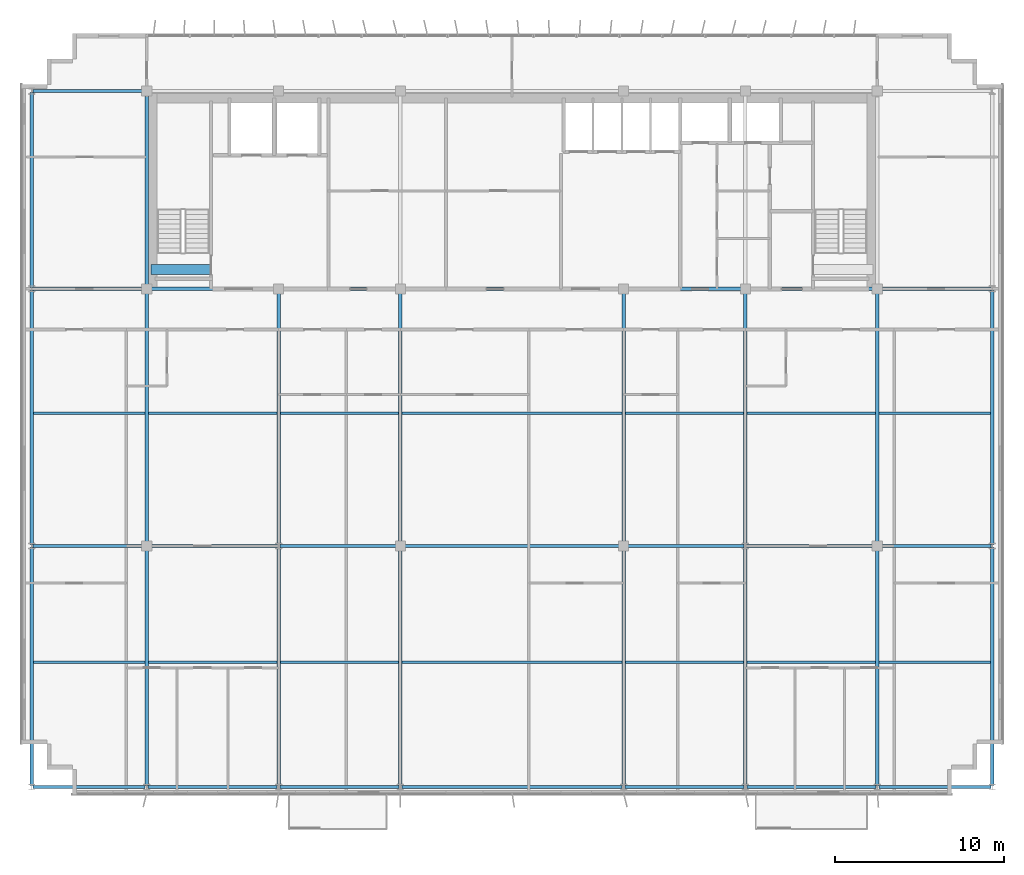
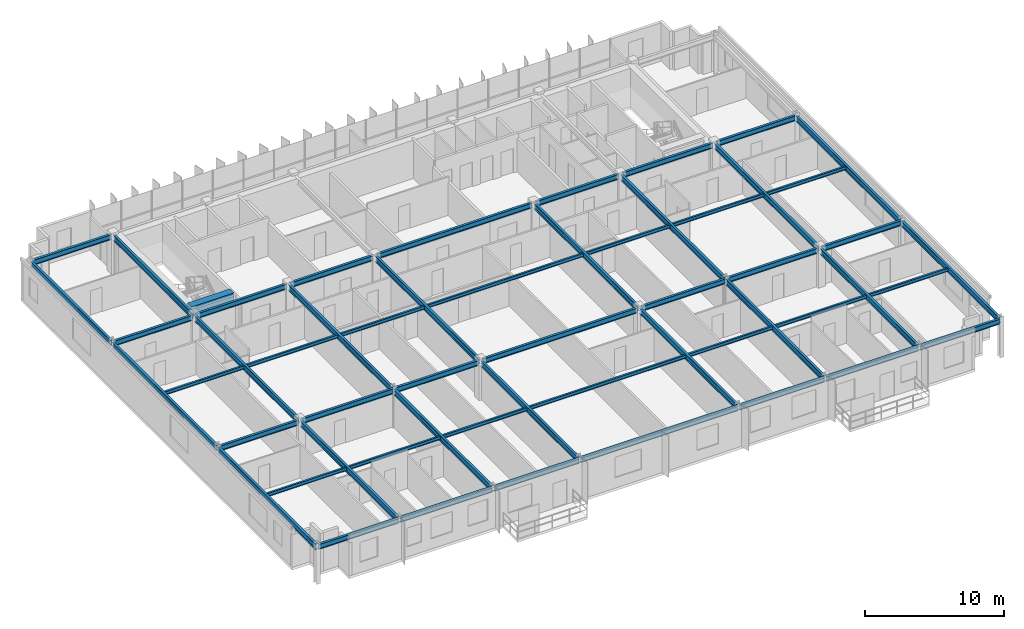
# One storey, part 5 of 22: 55 beams.
"""IFC4 building model written with IfcOpenShell, lengths in metres."""

from ifc_helpers import new_model, si_unit, direction, frame, origin, origin_2d, place, context, subcontext, project, spatial, rectangle, i_section, extrude, source, transform, mapped, material, material_profile, profile_set, type_object, element, save


model = new_model("IFC4")

# Units and contexts
model_context = context("Model", 3, precision=1e-05, world=origin(), true_north=direction((0.0, 1.0)))
body_context = subcontext(model_context, "Body", "Model", "MODEL_VIEW")
ifc_project = project(units=[si_unit("LENGTHUNIT", "METRE"), si_unit("AREAUNIT", "SQUARE_METRE"), si_unit("VOLUMEUNIT", "CUBIC_METRE"), si_unit("PLANEANGLEUNIT", "RADIAN"), si_unit("MASSUNIT", "GRAM", prefix="KILO")], contexts=[model_context])

# Site, building, storey
site_placement = place(None, origin())
site = spatial("IfcSite", under=ifc_project, at=site_placement, CompositionType="ELEMENT")
building_placement = place(site_placement, origin())
building = spatial("IfcBuilding", under=site, at=building_placement, Name="Trelvane Seafront Commons", CompositionType="ELEMENT")
storey_placement = place(building_placement, frame((0.0, 0.0, 284.699951171875)))
storey = spatial("IfcBuildingStorey", under=building, at=storey_placement, Name="L74", CompositionType="ELEMENT", Elevation=284.699951171875)

# Beams
ifc_material_1 = material(Name="Concrete C60/75", Category="concrete")
ifc_material_profile_1 = material_profile(ifc_material_1, rectangle(XDim=0.60009765625, YDim=0.89990234375, at=origin_2d()), Name="RC-600x900")
ifc_profile_set_1 = profile_set([ifc_material_profile_1], Name="Concrete C60/75")
beam_type_1 = type_object("IfcBeamType", Name="STR-LNT-RC600x900", PredefinedType="LINTEL", material=ifc_profile_set_1)
shared_shape_1 = source(origin(), body_context, "Body", "SweptSolid", [
    extrude(rectangle(XDim=0.60009765625, YDim=0.89990234375, at=origin_2d()), origin(), (0.0, 0.0, 1.0), 3.5498046875),
])
beam_1_placement = place(storey_placement, frame((15.85009765625, 34.550048828125, 2.920166015625), z_axis=(1.0, 0.0, 0.0), x_axis=(0.0, 1.0, 0.0)))
element("IfcBeam", 1, at=beam_1_placement, inside=storey, type_object=beam_type_1, Name="L74 Core Coupling Lintel Beam CB-67", PredefinedType="LINTEL", context=body_context, shape_type="MappedRepresentation", body=[
    mapped(shared_shape_1, transform((0.0, 0.0, 0.0), x_axis=(1.0, 0.0, 0.0), y_axis=(0.0, 1.0, 0.0), z_axis=(0.0, 0.0, 1.0), scale=1.0)),
])
ifc_material_2 = material(Name="Steel SM355 (S355)", Category="steel")
ifc_material_profile_2 = material_profile(ifc_material_2, i_section(OverallWidth=0.199951171875, OverallDepth=0.5, WebThickness=0.010009765625, FlangeThickness=0.01611328125, at=origin_2d()), Name="H-500x200x10x16")
ifc_profile_set_2 = profile_set([ifc_material_profile_2], Name="Steel SM355 (S355)")
beam_type_2 = type_object("IfcBeamType", Name="STR-BM-H500", PredefinedType="BEAM", material=ifc_profile_set_2)
shared_shape_2 = source(origin(), body_context, "Body", "SweptSolid", [
    extrude(i_section(OverallWidth=0.199951171875, OverallDepth=0.5, WebThickness=0.010009765625, FlangeThickness=0.01611328125, at=origin_2d()), origin(), (0.0, 0.0, 1.0), 14.89990234375),
])
for number, where, z_axis, x_axis, name in (
    (2, (15.60009765625, 18.35009765625, 3.1201171875), (0.0, 1.0, 0.0), (-1.0, 0.0, 0.0), "L74 Primary Girder G-33"),
    (3, (30.60009765625, 18.35009765625, 3.1201171875), (0.0, 1.0, 0.0), (-1.0, 0.0, 0.0), "L74 Primary Girder G-39"),
    (4, (43.800048828125, 18.35009765625, 3.1201171875), (0.0, 1.0, 0.0), (-1.0, 0.0, 0.0), "L74 Primary Girder G-42"),
    (5, (58.800048828125, 18.35009765625, 3.1201171875), (0.0, 1.0, 0.0), (-1.0, 0.0, 0.0), "L74 Primary Girder G-48"),
):
    element("IfcBeam", number, at=place(storey_placement, frame(where, z_axis=z_axis, x_axis=x_axis)), inside=storey, type_object=beam_type_2, Name=name, PredefinedType="BEAM", context=body_context, shape_type="MappedRepresentation", body=[
        mapped(shared_shape_2, transform((0.0, 0.0, 0.0), x_axis=(1.0, 0.0, 0.0), y_axis=(0.0, 1.0, 0.0), z_axis=(0.0, 0.0, 1.0), scale=1.0)),
    ])
shared_shape_3 = source(origin(), body_context, "Body", "SweptSolid", [
    extrude(i_section(OverallWidth=0.199951171875, OverallDepth=0.5, WebThickness=0.010009765625, FlangeThickness=0.01611328125, at=origin_2d()), origin(), (0.0, 0.0, 1.0), 11.39990234375),
])
beam_2_placement = place(storey_placement, frame((15.60009765625, 33.550048828125, 3.1201171875), z_axis=(0.0, 1.0, 0.0), x_axis=(-1.0, 0.0, 0.0)))
element("IfcBeam", 6, at=beam_2_placement, inside=storey, type_object=beam_type_2, Name="L74 Primary Girder G-34", PredefinedType="BEAM", context=body_context, shape_type="MappedRepresentation", body=[
    mapped(shared_shape_3, transform((0.0, 0.0, 0.0), x_axis=(1.0, 0.0, 0.0), y_axis=(0.0, 1.0, 0.0), z_axis=(0.0, 0.0, 1.0), scale=1.0)),
])
ifc_material_profile_3 = material_profile(ifc_material_2, i_section(OverallWidth=0.199951171875, OverallDepth=0.449951171875, WebThickness=0.009033203125, FlangeThickness=0.013916015625, at=origin_2d()), Name="H-450x200x9x14")
ifc_profile_set_3 = profile_set([ifc_material_profile_3], Name="Steel SM355 (S355)")
beam_type_3 = type_object("IfcBeamType", Name="STR-SPD-H450", PredefinedType="SPANDREL", material=ifc_profile_set_3)
shared_shape_4 = source(origin(), body_context, "Body", "SweptSolid", [
    extrude(i_section(OverallWidth=0.199951171875, OverallDepth=0.449951171875, WebThickness=0.009033203125, FlangeThickness=0.013916015625, at=origin_2d()), origin(), (0.0, 0.0, 1.0), 6.625),
])
for number, where, z_axis, x_axis, name in (
    (7, (8.887451171875, 3.949951171875, 3.14501953125), (1.0, 0.0, 0.0), (0.0, 1.0, 0.0), "L74 Primary Girder G-01"),
    (8, (58.887451171875, 3.949951171875, 3.14501953125), (1.0, 0.0, 0.0), (0.0, 1.0, 0.0), "L74 Primary Girder G-07"),
):
    element("IfcBeam", number, at=place(storey_placement, frame(where, z_axis=z_axis, x_axis=x_axis)), inside=storey, type_object=beam_type_3, Name=name, PredefinedType="SPANDREL", context=body_context, shape_type="MappedRepresentation", body=[
        mapped(shared_shape_4, transform((0.0, 0.0, 0.0), x_axis=(1.0, 0.0, 0.0), y_axis=(0.0, 1.0, 0.0), z_axis=(0.0, 0.0, 1.0), scale=1.0)),
    ])
shared_shape_5 = source(origin(), body_context, "Body", "SweptSolid", [
    extrude(i_section(OverallWidth=0.199951171875, OverallDepth=0.449951171875, WebThickness=0.009033203125, FlangeThickness=0.013916015625, at=origin_2d()), origin(), (0.0, 0.0, 1.0), 7.625),
])
for number, where, z_axis, x_axis, name in (
    (9, (15.6875, 3.949951171875, 3.14501953125), (1.0, 0.0, 0.0), (0.0, 1.0, 0.0), "L74 Primary Girder G-02"),
    (10, (51.08740234375, 3.949951171875, 3.14501953125), (1.0, 0.0, 0.0), (0.0, 1.0, 0.0), "L74 Primary Girder G-06"),
):
    element("IfcBeam", number, at=place(storey_placement, frame(where, z_axis=z_axis, x_axis=x_axis)), inside=storey, type_object=beam_type_3, Name=name, PredefinedType="SPANDREL", context=body_context, shape_type="MappedRepresentation", body=[
        mapped(shared_shape_5, transform((0.0, 0.0, 0.0), x_axis=(1.0, 0.0, 0.0), y_axis=(0.0, 1.0, 0.0), z_axis=(0.0, 0.0, 1.0), scale=1.0)),
    ])
shared_shape_6 = source(origin(), body_context, "Body", "SweptSolid", [
    extrude(i_section(OverallWidth=0.199951171875, OverallDepth=0.449951171875, WebThickness=0.009033203125, FlangeThickness=0.013916015625, at=origin_2d()), origin(), (0.0, 0.0, 1.0), 7.02490234375),
])
beam_3_placement = place(storey_placement, frame((23.487548828125, 3.949951171875, 3.14501953125), z_axis=(1.0, 0.0, 0.0), x_axis=(0.0, 1.0, 0.0)))
element("IfcBeam", 11, at=beam_3_placement, inside=storey, type_object=beam_type_3, Name="L74 Primary Girder G-03", PredefinedType="SPANDREL", context=body_context, shape_type="MappedRepresentation", body=[
    mapped(shared_shape_6, transform((0.0, 0.0, 0.0), x_axis=(1.0, 0.0, 0.0), y_axis=(0.0, 1.0, 0.0), z_axis=(0.0, 0.0, 1.0), scale=1.0)),
])
shared_shape_7 = source(origin(), body_context, "Body", "SweptSolid", [
    extrude(i_section(OverallWidth=0.199951171875, OverallDepth=0.449951171875, WebThickness=0.009033203125, FlangeThickness=0.013916015625, at=origin_2d()), origin(), (0.0, 0.0, 1.0), 7.025146484375),
])
beam_4_placement = place(storey_placement, frame((43.887451171875, 3.949951171875, 3.14501953125), z_axis=(1.0, 0.0, 0.0), x_axis=(0.0, 1.0, 0.0)))
element("IfcBeam", 12, at=beam_4_placement, inside=storey, type_object=beam_type_3, Name="L74 Primary Girder G-05", PredefinedType="SPANDREL", context=body_context, shape_type="MappedRepresentation", body=[
    mapped(shared_shape_7, transform((0.0, 0.0, 0.0), x_axis=(1.0, 0.0, 0.0), y_axis=(0.0, 1.0, 0.0), z_axis=(0.0, 0.0, 1.0), scale=1.0)),
])
shared_shape_8 = source(origin(), body_context, "Body", "SweptSolid", [
    extrude(i_section(OverallWidth=0.199951171875, OverallDepth=0.449951171875, WebThickness=0.009033203125, FlangeThickness=0.013916015625, at=origin_2d()), origin(), (0.0, 0.0, 1.0), 6.5625),
])
for number, where, z_axis, x_axis, name in (
    (13, (8.887451171875, 18.199951171875, 3.14501953125), (1.0, 0.0, 0.0), (0.0, 1.0, 0.0), "L74 Primary Girder G-08"),
    (14, (58.949951171875, 18.199951171875, 3.14501953125), (1.0, 0.0, 0.0), (0.0, 1.0, 0.0), "L74 Primary Girder G-14"),
    (15, (8.887451171875, 33.39990234375, 3.14501953125), (1.0, 0.0, 0.0), (0.0, 1.0, 0.0), "L74 Primary Girder G-15"),
    (16, (58.949951171875, 33.39990234375, 3.14501953125), (1.0, 0.0, 0.0), (0.0, 1.0, 0.0), "L74 Primary Girder G-21"),
    (17, (8.887451171875, 45.10009765625, 3.14501953125), (1.0, 0.0, 0.0), (0.0, 1.0, 0.0), "L74 Primary Girder G-22"),
):
    element("IfcBeam", number, at=place(storey_placement, frame(where, z_axis=z_axis, x_axis=x_axis)), inside=storey, type_object=beam_type_3, Name=name, PredefinedType="SPANDREL", context=body_context, shape_type="MappedRepresentation", body=[
        mapped(shared_shape_8, transform((0.0, 0.0, 0.0), x_axis=(1.0, 0.0, 0.0), y_axis=(0.0, 1.0, 0.0), z_axis=(0.0, 0.0, 1.0), scale=1.0)),
    ])
shared_shape_9 = source(origin(), body_context, "Body", "SweptSolid", [
    extrude(i_section(OverallWidth=0.199951171875, OverallDepth=0.449951171875, WebThickness=0.009033203125, FlangeThickness=0.013916015625, at=origin_2d()), origin(), (0.0, 0.0, 1.0), 7.5625),
])
for number, where, z_axis, x_axis, name in (
    (18, (15.75, 18.199951171875, 3.14501953125), (1.0, 0.0, 0.0), (0.0, 1.0, 0.0), "L74 Primary Girder G-09"),
    (19, (51.08740234375, 18.199951171875, 3.14501953125), (1.0, 0.0, 0.0), (0.0, 1.0, 0.0), "L74 Primary Girder G-13"),
):
    element("IfcBeam", number, at=place(storey_placement, frame(where, z_axis=z_axis, x_axis=x_axis)), inside=storey, type_object=beam_type_3, Name=name, PredefinedType="SPANDREL", context=body_context, shape_type="MappedRepresentation", body=[
        mapped(shared_shape_9, transform((0.0, 0.0, 0.0), x_axis=(1.0, 0.0, 0.0), y_axis=(0.0, 1.0, 0.0), z_axis=(0.0, 0.0, 1.0), scale=1.0)),
    ])
shared_shape_10 = source(origin(), body_context, "Body", "SweptSolid", [
    extrude(i_section(OverallWidth=0.199951171875, OverallDepth=0.449951171875, WebThickness=0.009033203125, FlangeThickness=0.013916015625, at=origin_2d()), origin(), (0.0, 0.0, 1.0), 6.96240234375),
])
beam_5_placement = place(storey_placement, frame((23.487548828125, 18.199951171875, 3.14501953125), z_axis=(1.0, 0.0, 0.0), x_axis=(0.0, 1.0, 0.0)))
element("IfcBeam", 20, at=beam_5_placement, inside=storey, type_object=beam_type_3, Name="L74 Primary Girder G-10", PredefinedType="SPANDREL", context=body_context, shape_type="MappedRepresentation", body=[
    mapped(shared_shape_10, transform((0.0, 0.0, 0.0), x_axis=(1.0, 0.0, 0.0), y_axis=(0.0, 1.0, 0.0), z_axis=(0.0, 0.0, 1.0), scale=1.0)),
])
shared_shape_11 = source(origin(), body_context, "Body", "SweptSolid", [
    extrude(i_section(OverallWidth=0.199951171875, OverallDepth=0.449951171875, WebThickness=0.009033203125, FlangeThickness=0.013916015625, at=origin_2d()), origin(), (0.0, 0.0, 1.0), 6.962646484375),
])
beam_6_placement = place(storey_placement, frame((43.949951171875, 18.199951171875, 3.14501953125), z_axis=(1.0, 0.0, 0.0), x_axis=(0.0, 1.0, 0.0)))
element("IfcBeam", 21, at=beam_6_placement, inside=storey, type_object=beam_type_3, Name="L74 Primary Girder G-12", PredefinedType="SPANDREL", context=body_context, shape_type="MappedRepresentation", body=[
    mapped(shared_shape_11, transform((0.0, 0.0, 0.0), x_axis=(1.0, 0.0, 0.0), y_axis=(0.0, 1.0, 0.0), z_axis=(0.0, 0.0, 1.0), scale=1.0)),
])
shared_shape_12 = source(origin(), body_context, "Body", "SweptSolid", [
    extrude(i_section(OverallWidth=0.199951171875, OverallDepth=0.449951171875, WebThickness=0.009033203125, FlangeThickness=0.013916015625, at=origin_2d()), origin(), (0.0, 0.0, 1.0), 7.5),
])
for number, where, z_axis, x_axis, name in (
    (22, (15.75, 33.39990234375, 3.14501953125), (1.0, 0.0, 0.0), (0.0, 1.0, 0.0), "L74 Primary Girder G-16"),
    (23, (51.14990234375, 33.39990234375, 3.14501953125), (1.0, 0.0, 0.0), (0.0, 1.0, 0.0), "L74 Primary Girder G-20"),
):
    element("IfcBeam", number, at=place(storey_placement, frame(where, z_axis=z_axis, x_axis=x_axis)), inside=storey, type_object=beam_type_3, Name=name, PredefinedType="SPANDREL", context=body_context, shape_type="MappedRepresentation", body=[
        mapped(shared_shape_12, transform((0.0, 0.0, 0.0), x_axis=(1.0, 0.0, 0.0), y_axis=(0.0, 1.0, 0.0), z_axis=(0.0, 0.0, 1.0), scale=1.0)),
    ])
shared_shape_13 = source(origin(), body_context, "Body", "SweptSolid", [
    extrude(i_section(OverallWidth=0.199951171875, OverallDepth=0.449951171875, WebThickness=0.009033203125, FlangeThickness=0.013916015625, at=origin_2d()), origin(), (0.0, 0.0, 1.0), 6.89990234375),
])
beam_7_placement = place(storey_placement, frame((23.550048828125, 33.39990234375, 3.14501953125), z_axis=(1.0, 0.0, 0.0), x_axis=(0.0, 1.0, 0.0)))
element("IfcBeam", 24, at=beam_7_placement, inside=storey, type_object=beam_type_3, Name="L74 Primary Girder G-17", PredefinedType="SPANDREL", context=body_context, shape_type="MappedRepresentation", body=[
    mapped(shared_shape_13, transform((0.0, 0.0, 0.0), x_axis=(1.0, 0.0, 0.0), y_axis=(0.0, 1.0, 0.0), z_axis=(0.0, 0.0, 1.0), scale=1.0)),
])
shared_shape_14 = source(origin(), body_context, "Body", "SweptSolid", [
    extrude(i_section(OverallWidth=0.199951171875, OverallDepth=0.449951171875, WebThickness=0.009033203125, FlangeThickness=0.013916015625, at=origin_2d()), origin(), (0.0, 0.0, 1.0), 12.89990234375),
])
for number, where, z_axis, x_axis, name in (
    (25, (30.75, 18.199951171875, 3.14501953125), (1.0, 0.0, 0.0), (0.0, 1.0, 0.0), "L74 Primary Girder G-11"),
    (26, (30.75, 33.39990234375, 3.14501953125), (1.0, 0.0, 0.0), (0.0, 1.0, 0.0), "L74 Primary Girder G-18"),
):
    element("IfcBeam", number, at=place(storey_placement, frame(where, z_axis=z_axis, x_axis=x_axis)), inside=storey, type_object=beam_type_3, Name=name, PredefinedType="SPANDREL", context=body_context, shape_type="MappedRepresentation", body=[
        mapped(shared_shape_14, transform((0.0, 0.0, 0.0), x_axis=(1.0, 0.0, 0.0), y_axis=(0.0, 1.0, 0.0), z_axis=(0.0, 0.0, 1.0), scale=1.0)),
    ])
shared_shape_15 = source(origin(), body_context, "Body", "SweptSolid", [
    extrude(i_section(OverallWidth=0.199951171875, OverallDepth=0.449951171875, WebThickness=0.009033203125, FlangeThickness=0.013916015625, at=origin_2d()), origin(), (0.0, 0.0, 1.0), 6.900146484375),
])
beam_8_placement = place(storey_placement, frame((43.949951171875, 33.39990234375, 3.14501953125), z_axis=(1.0, 0.0, 0.0), x_axis=(0.0, 1.0, 0.0)))
element("IfcBeam", 27, at=beam_8_placement, inside=storey, type_object=beam_type_3, Name="L74 Primary Girder G-19", PredefinedType="SPANDREL", context=body_context, shape_type="MappedRepresentation", body=[
    mapped(shared_shape_15, transform((0.0, 0.0, 0.0), x_axis=(1.0, 0.0, 0.0), y_axis=(0.0, 1.0, 0.0), z_axis=(0.0, 0.0, 1.0), scale=1.0)),
])
shared_shape_16 = source(origin(), body_context, "Body", "SweptSolid", [
    extrude(i_section(OverallWidth=0.199951171875, OverallDepth=0.5, WebThickness=0.010009765625, FlangeThickness=0.01611328125, at=origin_2d()), origin(), (0.0, 0.0, 1.0), 14.074951171875),
])
for number, where, z_axis, x_axis, name in (
    (28, (8.800048828125, 4.03759765625, 3.1201171875), (0.0, 1.0, 0.0), (-1.0, 0.0, 0.0), "L74 Primary Girder G-29"),
    (29, (23.39990234375, 4.03759765625, 3.1201171875), (0.0, 1.0, 0.0), (-1.0, 0.0, 0.0), "L74 Primary Girder G-35"),
    (30, (51.0, 4.03759765625, 3.1201171875), (0.0, 1.0, 0.0), (-1.0, 0.0, 0.0), "L74 Primary Girder G-44"),
    (31, (65.60009765625, 4.03759765625, 3.1201171875), (0.0, 1.0, 0.0), (-1.0, 0.0, 0.0), "L74 Primary Girder G-50"),
):
    element("IfcBeam", number, at=place(storey_placement, frame(where, z_axis=z_axis, x_axis=x_axis)), inside=storey, type_object=beam_type_2, Name=name, PredefinedType="BEAM", context=body_context, shape_type="MappedRepresentation", body=[
        mapped(shared_shape_16, transform((0.0, 0.0, 0.0), x_axis=(1.0, 0.0, 0.0), y_axis=(0.0, 1.0, 0.0), z_axis=(0.0, 0.0, 1.0), scale=1.0)),
    ])
shared_shape_17 = source(origin(), body_context, "Body", "SweptSolid", [
    extrude(i_section(OverallWidth=0.199951171875, OverallDepth=0.5, WebThickness=0.010009765625, FlangeThickness=0.01611328125, at=origin_2d()), origin(), (0.0, 0.0, 1.0), 15.02490234375),
])
for number, where, z_axis, x_axis, name in (
    (32, (8.800048828125, 18.28759765625, 3.1201171875), (0.0, 1.0, 0.0), (-1.0, 0.0, 0.0), "L74 Primary Girder G-30"),
    (33, (65.60009765625, 18.28759765625, 3.1201171875), (0.0, 1.0, 0.0), (-1.0, 0.0, 0.0), "L74 Primary Girder G-51"),
):
    element("IfcBeam", number, at=place(storey_placement, frame(where, z_axis=z_axis, x_axis=x_axis)), inside=storey, type_object=beam_type_2, Name=name, PredefinedType="BEAM", context=body_context, shape_type="MappedRepresentation", body=[
        mapped(shared_shape_17, transform((0.0, 0.0, 0.0), x_axis=(1.0, 0.0, 0.0), y_axis=(0.0, 1.0, 0.0), z_axis=(0.0, 0.0, 1.0), scale=1.0)),
    ])
shared_shape_18 = source(origin(), body_context, "Body", "SweptSolid", [
    extrude(i_section(OverallWidth=0.199951171875, OverallDepth=0.5, WebThickness=0.010009765625, FlangeThickness=0.01611328125, at=origin_2d()), origin(), (0.0, 0.0, 1.0), 11.52490234375),
])
beam_9_placement = place(storey_placement, frame((8.800048828125, 33.487548828125, 3.1201171875), z_axis=(0.0, 1.0, 0.0), x_axis=(-1.0, 0.0, 0.0)))
element("IfcBeam", 34, at=beam_9_placement, inside=storey, type_object=beam_type_2, Name="L74 Primary Girder G-31", PredefinedType="BEAM", context=body_context, shape_type="MappedRepresentation", body=[
    mapped(shared_shape_18, transform((0.0, 0.0, 0.0), x_axis=(1.0, 0.0, 0.0), y_axis=(0.0, 1.0, 0.0), z_axis=(0.0, 0.0, 1.0), scale=1.0)),
])
shared_shape_19 = source(origin(), body_context, "Body", "SweptSolid", [
    extrude(i_section(OverallWidth=0.199951171875, OverallDepth=0.5, WebThickness=0.010009765625, FlangeThickness=0.01611328125, at=origin_2d()), origin(), (0.0, 0.0, 1.0), 14.012451171875),
])
for number, where, z_axis, x_axis, name in (
    (35, (15.60009765625, 4.03759765625, 3.1201171875), (0.0, 1.0, 0.0), (-1.0, 0.0, 0.0), "L74 Primary Girder G-32"),
    (36, (30.60009765625, 4.03759765625, 3.1201171875), (0.0, 1.0, 0.0), (-1.0, 0.0, 0.0), "L74 Primary Girder G-38"),
    (37, (43.800048828125, 4.03759765625, 3.1201171875), (0.0, 1.0, 0.0), (-1.0, 0.0, 0.0), "L74 Primary Girder G-41"),
    (38, (58.800048828125, 4.03759765625, 3.1201171875), (0.0, 1.0, 0.0), (-1.0, 0.0, 0.0), "L74 Primary Girder G-47"),
):
    element("IfcBeam", number, at=place(storey_placement, frame(where, z_axis=z_axis, x_axis=x_axis)), inside=storey, type_object=beam_type_2, Name=name, PredefinedType="BEAM", context=body_context, shape_type="MappedRepresentation", body=[
        mapped(shared_shape_19, transform((0.0, 0.0, 0.0), x_axis=(1.0, 0.0, 0.0), y_axis=(0.0, 1.0, 0.0), z_axis=(0.0, 0.0, 1.0), scale=1.0)),
    ])
shared_shape_20 = source(origin(), body_context, "Body", "SweptSolid", [
    extrude(i_section(OverallWidth=0.199951171875, OverallDepth=0.5, WebThickness=0.010009765625, FlangeThickness=0.01611328125, at=origin_2d()), origin(), (0.0, 0.0, 1.0), 14.96240234375),
])
for number, where, z_axis, x_axis, name in (
    (39, (23.39990234375, 18.28759765625, 3.1201171875), (0.0, 1.0, 0.0), (-1.0, 0.0, 0.0), "L74 Primary Girder G-36"),
    (40, (51.0, 18.28759765625, 3.1201171875), (0.0, 1.0, 0.0), (-1.0, 0.0, 0.0), "L74 Primary Girder G-45"),
):
    element("IfcBeam", number, at=place(storey_placement, frame(where, z_axis=z_axis, x_axis=x_axis)), inside=storey, type_object=beam_type_2, Name=name, PredefinedType="BEAM", context=body_context, shape_type="MappedRepresentation", body=[
        mapped(shared_shape_20, transform((0.0, 0.0, 0.0), x_axis=(1.0, 0.0, 0.0), y_axis=(0.0, 1.0, 0.0), z_axis=(0.0, 0.0, 1.0), scale=1.0)),
    ])
ifc_material_profile_4 = material_profile(ifc_material_2, i_section(OverallWidth=0.14990234375, OverallDepth=0.300048828125, WebThickness=0.006591796875, FlangeThickness=0.009033203125, at=origin_2d()), Name="H-300x150x6.5x9")
ifc_profile_set_4 = profile_set([ifc_material_profile_4], Name="Steel SM355 (S355)")
beam_type_4 = type_object("IfcBeamType", Name="STR-JST-H300", PredefinedType="JOIST", material=ifc_profile_set_4)
shared_shape_21 = source(origin(), body_context, "Body", "SweptSolid", [
    extrude(i_section(OverallWidth=0.14990234375, OverallDepth=0.300048828125, WebThickness=0.006591796875, FlangeThickness=0.009033203125, at=origin_2d()), origin(), (0.0, 0.0, 1.0), 6.60009765625),
])
for number, where, z_axis, x_axis, name in (
    (41, (8.89990234375, 11.324951171875, 3.219970703125), (1.0, 0.0, 0.0), (0.0, 1.0, 0.0), "L74 Secondary Floor Joist B-53"),
    (42, (58.89990234375, 11.324951171875, 3.219970703125), (1.0, 0.0, 0.0), (0.0, 1.0, 0.0), "L74 Secondary Floor Joist B-59"),
    (43, (8.89990234375, 26.050048828125, 3.219970703125), (1.0, 0.0, 0.0), (0.0, 1.0, 0.0), "L74 Secondary Floor Joist B-60"),
    (44, (58.89990234375, 26.050048828125, 3.219970703125), (1.0, 0.0, 0.0), (0.0, 1.0, 0.0), "L74 Secondary Floor Joist B-66"),
):
    element("IfcBeam", number, at=place(storey_placement, frame(where, z_axis=z_axis, x_axis=x_axis)), inside=storey, type_object=beam_type_4, Name=name, PredefinedType="JOIST", context=body_context, shape_type="MappedRepresentation", body=[
        mapped(shared_shape_21, transform((0.0, 0.0, 0.0), x_axis=(1.0, 0.0, 0.0), y_axis=(0.0, 1.0, 0.0), z_axis=(0.0, 0.0, 1.0), scale=1.0)),
    ])
shared_shape_22 = source(origin(), body_context, "Body", "SweptSolid", [
    extrude(i_section(OverallWidth=0.14990234375, OverallDepth=0.300048828125, WebThickness=0.006591796875, FlangeThickness=0.009033203125, at=origin_2d()), origin(), (0.0, 0.0, 1.0), 7.60009765625),
])
for number, where, z_axis, x_axis, name in (
    (45, (15.699951171875, 11.324951171875, 3.219970703125), (1.0, 0.0, 0.0), (0.0, 1.0, 0.0), "L74 Secondary Floor Joist B-54"),
    (46, (15.699951171875, 26.050048828125, 3.219970703125), (1.0, 0.0, 0.0), (0.0, 1.0, 0.0), "L74 Secondary Floor Joist B-61"),
):
    element("IfcBeam", number, at=place(storey_placement, frame(where, z_axis=z_axis, x_axis=x_axis)), inside=storey, type_object=beam_type_4, Name=name, PredefinedType="JOIST", context=body_context, shape_type="MappedRepresentation", body=[
        mapped(shared_shape_22, transform((0.0, 0.0, 0.0), x_axis=(1.0, 0.0, 0.0), y_axis=(0.0, 1.0, 0.0), z_axis=(0.0, 0.0, 1.0), scale=1.0)),
    ])
shared_shape_23 = source(origin(), body_context, "Body", "SweptSolid", [
    extrude(i_section(OverallWidth=0.14990234375, OverallDepth=0.300048828125, WebThickness=0.006591796875, FlangeThickness=0.009033203125, at=origin_2d()), origin(), (0.0, 0.0, 1.0), 7.0),
])
for number, where, z_axis, x_axis, name in (
    (47, (23.5, 11.324951171875, 3.219970703125), (1.0, 0.0, 0.0), (0.0, 1.0, 0.0), "L74 Secondary Floor Joist B-55"),
    (48, (43.89990234375, 11.324951171875, 3.219970703125), (1.0, 0.0, 0.0), (0.0, 1.0, 0.0), "L74 Secondary Floor Joist B-57"),
    (49, (23.5, 26.050048828125, 3.219970703125), (1.0, 0.0, 0.0), (0.0, 1.0, 0.0), "L74 Secondary Floor Joist B-62"),
    (50, (43.89990234375, 26.050048828125, 3.219970703125), (1.0, 0.0, 0.0), (0.0, 1.0, 0.0), "L74 Secondary Floor Joist B-64"),
):
    element("IfcBeam", number, at=place(storey_placement, frame(where, z_axis=z_axis, x_axis=x_axis)), inside=storey, type_object=beam_type_4, Name=name, PredefinedType="JOIST", context=body_context, shape_type="MappedRepresentation", body=[
        mapped(shared_shape_23, transform((0.0, 0.0, 0.0), x_axis=(1.0, 0.0, 0.0), y_axis=(0.0, 1.0, 0.0), z_axis=(0.0, 0.0, 1.0), scale=1.0)),
    ])
shared_shape_24 = source(origin(), body_context, "Body", "SweptSolid", [
    extrude(i_section(OverallWidth=0.14990234375, OverallDepth=0.300048828125, WebThickness=0.006591796875, FlangeThickness=0.009033203125, at=origin_2d()), origin(), (0.0, 0.0, 1.0), 7.599853515625),
])
for number, where, z_axis, x_axis, name in (
    (51, (51.10009765625, 11.324951171875, 3.219970703125), (1.0, 0.0, 0.0), (0.0, 1.0, 0.0), "L74 Secondary Floor Joist B-58"),
    (52, (51.10009765625, 26.050048828125, 3.219970703125), (1.0, 0.0, 0.0), (0.0, 1.0, 0.0), "L74 Secondary Floor Joist B-65"),
):
    element("IfcBeam", number, at=place(storey_placement, frame(where, z_axis=z_axis, x_axis=x_axis)), inside=storey, type_object=beam_type_4, Name=name, PredefinedType="JOIST", context=body_context, shape_type="MappedRepresentation", body=[
        mapped(shared_shape_24, transform((0.0, 0.0, 0.0), x_axis=(1.0, 0.0, 0.0), y_axis=(0.0, 1.0, 0.0), z_axis=(0.0, 0.0, 1.0), scale=1.0)),
    ])
shared_shape_25 = source(origin(), body_context, "Body", "SweptSolid", [
    extrude(i_section(OverallWidth=0.14990234375, OverallDepth=0.300048828125, WebThickness=0.006591796875, FlangeThickness=0.009033203125, at=origin_2d()), origin(), (0.0, 0.0, 1.0), 13.0),
])
for number, where, z_axis, x_axis, name in (
    (53, (30.699951171875, 11.324951171875, 3.219970703125), (1.0, 0.0, 0.0), (0.0, 1.0, 0.0), "L74 Secondary Floor Joist B-56"),
    (54, (30.699951171875, 26.050048828125, 3.219970703125), (1.0, 0.0, 0.0), (0.0, 1.0, 0.0), "L74 Secondary Floor Joist B-63"),
):
    element("IfcBeam", number, at=place(storey_placement, frame(where, z_axis=z_axis, x_axis=x_axis)), inside=storey, type_object=beam_type_4, Name=name, PredefinedType="JOIST", context=body_context, shape_type="MappedRepresentation", body=[
        mapped(shared_shape_25, transform((0.0, 0.0, 0.0), x_axis=(1.0, 0.0, 0.0), y_axis=(0.0, 1.0, 0.0), z_axis=(0.0, 0.0, 1.0), scale=1.0)),
    ])
shared_shape_26 = source(origin(), body_context, "Body", "SweptSolid", [
    extrude(i_section(OverallWidth=0.199951171875, OverallDepth=0.449951171875, WebThickness=0.009033203125, FlangeThickness=0.013916015625, at=origin_2d()), origin(), (0.0, 0.0, 1.0), 13.02490234375),
])
beam_10_placement = place(storey_placement, frame((30.6875, 3.949951171875, 3.14501953125), z_axis=(1.0, 0.0, 0.0), x_axis=(0.0, 1.0, 0.0)))
element("IfcBeam", 55, at=beam_10_placement, inside=storey, type_object=beam_type_3, Name="L74 Primary Girder G-04", PredefinedType="SPANDREL", context=body_context, shape_type="MappedRepresentation", body=[
    mapped(shared_shape_26, transform((0.0, 0.0, 0.0), x_axis=(1.0, 0.0, 0.0), y_axis=(0.0, 1.0, 0.0), z_axis=(0.0, 0.0, 1.0), scale=1.0)),
])

save(model, "model.ifc")
